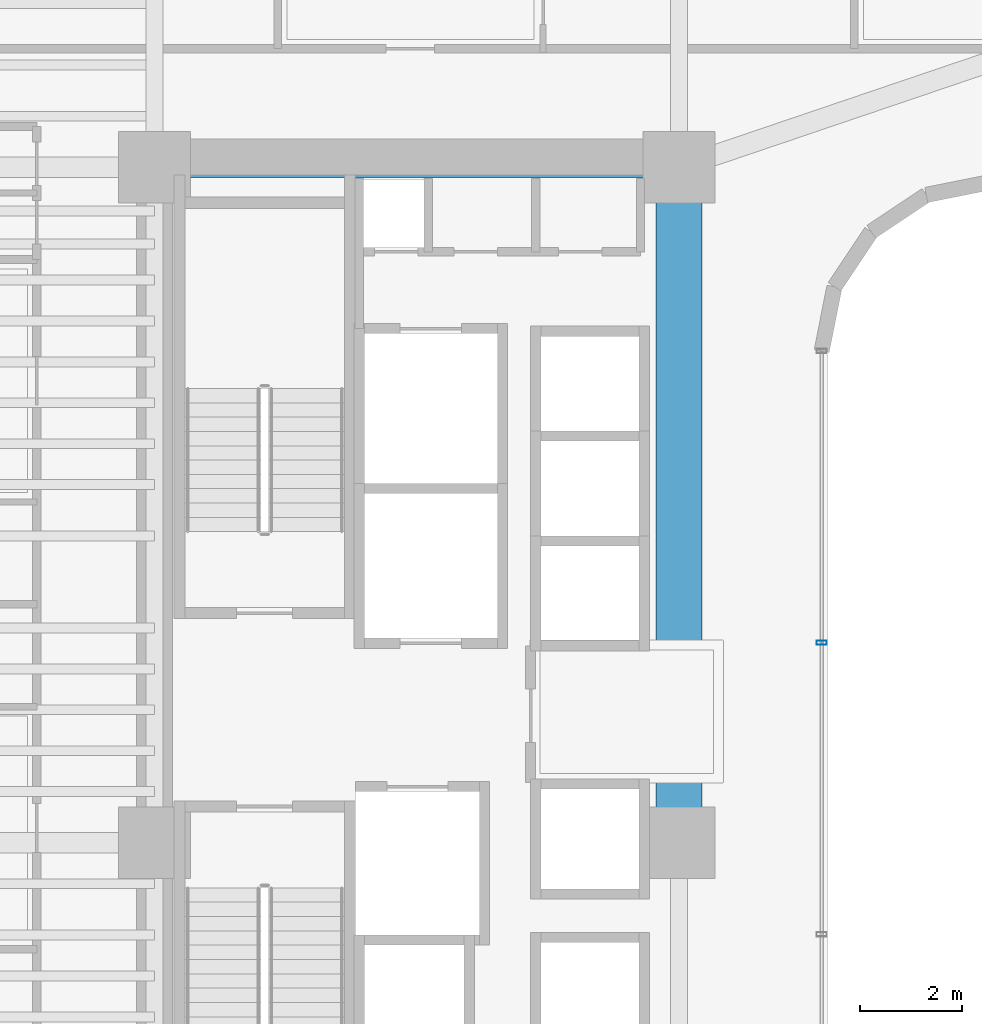
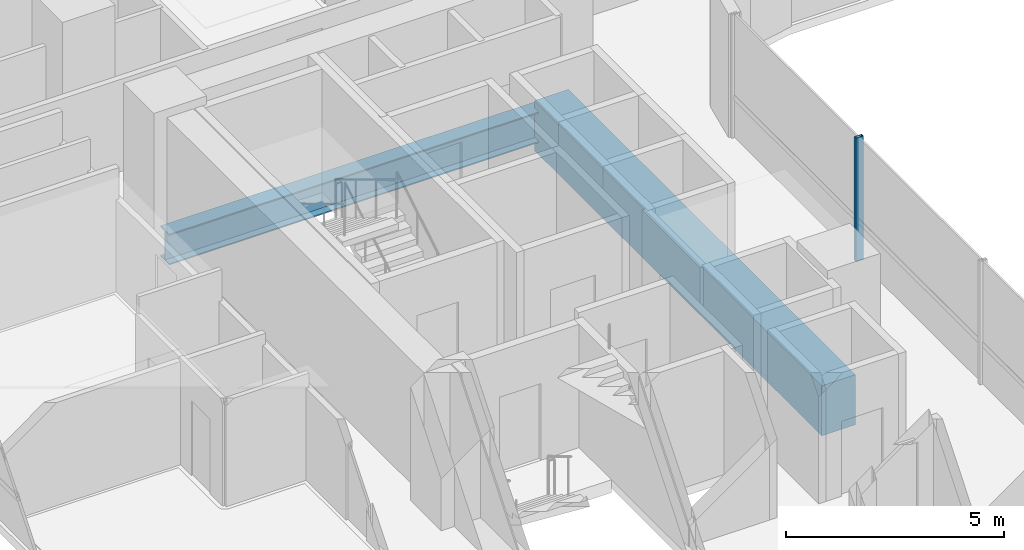
# One storey, part 12 of 42: 2 beams, 1 member, 1 element without a shape of its own.
"""IFC4 building model written with IfcOpenShell, lengths in metres."""

from ifc_helpers import new_model, si_unit, direction, frame, origin, origin_2d, place, context, subcontext, project, spatial, rectangle, hollow_rectangle, i_section, extrude, source, transform, mapped, material, material_profile, profile_set, type_object, element, aggregate, save


model = new_model("IFC4")

# Units and contexts
model_context = context("Model", 3, precision=1e-05, world=origin(), true_north=direction((0.0, 1.0)))
body_context = subcontext(model_context, "Body", "Model", "MODEL_VIEW")
ifc_project = project(units=[si_unit("LENGTHUNIT", "METRE"), si_unit("AREAUNIT", "SQUARE_METRE"), si_unit("VOLUMEUNIT", "CUBIC_METRE"), si_unit("PLANEANGLEUNIT", "RADIAN"), si_unit("MASSUNIT", "GRAM", prefix="KILO")], contexts=[model_context])

# Site, building, storey
site_placement = place(None, origin())
site = spatial("IfcSite", under=ifc_project, at=site_placement, CompositionType="ELEMENT")
building_placement = place(site_placement, origin())
building = spatial("IfcBuilding", under=site, at=building_placement, Name="Valdorenza Pilgrim Sanctuary Tower", CompositionType="ELEMENT")
storey_placement = place(building_placement, frame((0.0, 0.0, 55.60009765625)))
storey = spatial("IfcBuildingStorey", under=building, at=storey_placement, Name="L13", CompositionType="ELEMENT", Elevation=55.60009765625)

# Beams
ifc_material_1 = material(Name="Concrete C60/75", Category="concrete")
ifc_material_profile_1 = material_profile(ifc_material_1, rectangle(XDim=0.89990234375, YDim=1.39990234375, at=origin_2d()), Name="RC 1400x900")
ifc_profile_set_1 = profile_set([ifc_material_profile_1], Name="Concrete C60/75")
beam_type_1 = type_object("IfcBeamType", Name="STR-BM-LNT-1400", PredefinedType="LINTEL", material=ifc_profile_set_1)
shared_shape_1 = source(origin(), body_context, "Body", "SweptSolid", [
    extrude(rectangle(XDim=0.89990234375, YDim=1.39990234375, at=origin_2d()), origin(), (0.0, 0.0, 1.0), 13.2001953125),
])
beam_1_placement = place(storey_placement, frame((-12.39990234375, -2.60009765625, -0.739990234375), z_axis=(0.0, 1.0, 0.0), x_axis=(-1.0, 0.0, 0.0)))
element("IfcBeam", 1, at=beam_1_placement, inside=storey, type_object=beam_type_1, Name="L13 Core A Coupling Lintel Girder", PredefinedType="LINTEL", context=body_context, shape_type="MappedRepresentation", body=[
    mapped(shared_shape_1, transform((0.0, 0.0, 0.0), x_axis=(1.0, 0.0, 0.0), y_axis=(0.0, 1.0, 0.0), z_axis=(0.0, 0.0, 1.0), scale=1.0)),
])
ifc_material_2 = material(Name="Steel ASTM A992 Grade 50", Category="steel")
ifc_material_profile_2 = material_profile(ifc_material_2, i_section(OverallWidth=0.39990234375, OverallDepth=0.862060546875, WebThickness=0.019775390625, FlangeThickness=0.032470703125, at=origin_2d()), Name="W33X221")
ifc_profile_set_2 = profile_set([ifc_material_profile_2], Name="Steel ASTM A992 Grade 50")
beam_type_2 = type_object("IfcBeamType", Name="STR-BM-GRD-W33", PredefinedType="BEAM", material=ifc_profile_set_2)
shared_shape_2 = source(origin(), body_context, "Body", "SweptSolid", [
    extrude(i_section(OverallWidth=0.39990234375, OverallDepth=0.862060546875, WebThickness=0.019775390625, FlangeThickness=0.032470703125, at=origin_2d()), origin(), (0.0, 0.0, 1.0), 10.25),
])
beam_2_placement = place(storey_placement, frame((-22.64990234375, 10.60009765625, -0.671142578125), z_axis=(1.0, 0.0, 0.0), x_axis=(0.0, 1.0, 0.0)))
element("IfcBeam", 2, at=beam_2_placement, inside=storey, type_object=beam_type_2, Name="L13 Floor Girder CA-XC-N1", PredefinedType="BEAM", context=body_context, shape_type="MappedRepresentation", body=[
    mapped(shared_shape_2, transform((0.0, 0.0, 0.0), x_axis=(1.0, 0.0, 0.0), y_axis=(0.0, 1.0, 0.0), z_axis=(0.0, 0.0, 1.0), scale=1.0)),
])

# Curtain wall, member
ifc_material_3 = material(Name="Curtain-wall IGU glazing", Category="glass")
curtain_wall_type = type_object("IfcCurtainWallType", Name="CW-SYS-02", PredefinedType="NOTDEFINED", material=ifc_material_3)
curtain_wall_placement = place(storey_placement, origin())
curtain_wall = element("IfcCurtainWall", 3, at=curtain_wall_placement, inside=storey, type_object=curtain_wall_type, Name="L13 Curtain Wall CW-L13-1-41", PredefinedType="NOTDEFINED")
ifc_material_4 = material(Name="Anodised aluminium AW-6060", Category="aluminium")
ifc_material_profile_3 = material_profile(ifc_material_4, hollow_rectangle(XDim=0.0849609375, YDim=0.199951171875, WallThickness=0.0048828125, at=origin_2d()), Name="ALU-M 200x85x5")
ifc_profile_set_3 = profile_set([ifc_material_profile_3], Name="Anodised aluminium AW-6060")
member_type = type_object("IfcMemberType", Name="CW-MUL-02", PredefinedType="MULLION", material=ifc_profile_set_3)
shared_shape_3 = source(origin(), body_context, "Body", "SweptSolid", [
    extrude(hollow_rectangle(XDim=0.0849609375, YDim=0.199951171875, WallThickness=0.0048828125, at=origin_2d()), origin(), (0.0, 0.0, 1.0), 3.4599609375),
])
member_placement = place(storey_placement, frame((-9.610107421875, 1.310791015625, 0.0), z_axis=(0.0, 0.0, 1.0), x_axis=(0.0, -1.0, 0.0)))
member = element("IfcMember", 4, at=member_placement, type_object=member_type, Name="CW-L13-1-41 Mullion 2", PredefinedType="MULLION", context=body_context, shape_type="MappedRepresentation", body=[
    mapped(shared_shape_3, transform((0.0, 0.0, 0.0), x_axis=(1.0, 0.0, 0.0), y_axis=(0.0, 1.0, 0.0), z_axis=(0.0, 0.0, 1.0), scale=1.0)),
])
aggregate(curtain_wall, [member])

save(model, "model.ifc")
